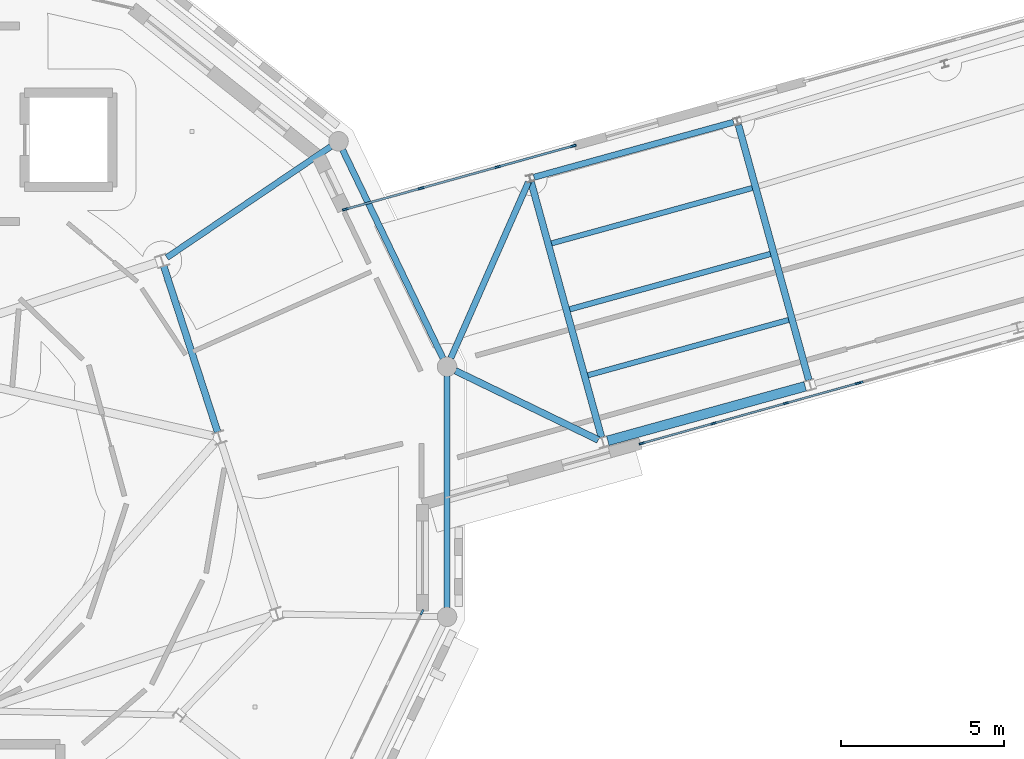
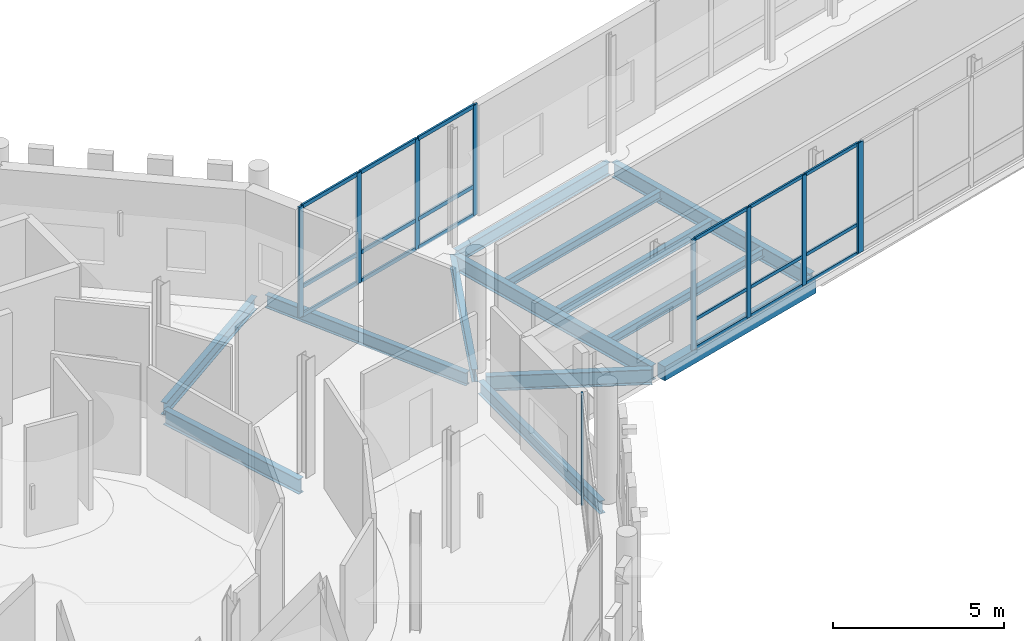
# One storey, part 29 of 125: 28 members, 13 beams, 4 elements without a shape of their own.
"""IFC4 building model written with IfcOpenShell, lengths in metres."""

from ifc_helpers import new_model, si_unit, direction, frame, origin, origin_2d, place, context, subcontext, project, spatial, rectangle, i_section, extrude, material, material_profile, profile_set, type_object, element, aggregate, save


model = new_model("IFC4")

# Units and contexts
model_context = context("Model", 3, precision=1e-05, world=origin(), true_north=direction((0.0, 1.0)))
body_context = subcontext(model_context, "Body", "Model", "MODEL_VIEW")
ifc_project = project(units=[si_unit("LENGTHUNIT", "METRE"), si_unit("AREAUNIT", "SQUARE_METRE"), si_unit("VOLUMEUNIT", "CUBIC_METRE"), si_unit("PLANEANGLEUNIT", "RADIAN"), si_unit("MASSUNIT", "GRAM", prefix="KILO")], contexts=[model_context])

# Site, building, storey
site_placement = place(None, origin())
site = spatial("IfcSite", under=ifc_project, at=site_placement, CompositionType="ELEMENT")
building_placement = place(site_placement, origin())
building = spatial("IfcBuilding", under=site, at=building_placement, Name="Wrenclough Park School", CompositionType="ELEMENT")
storey_placement = place(building_placement, frame((0.0, 0.0, 4.199951171875)))
storey = spatial("IfcBuildingStorey", under=building, at=storey_placement, Name="L01", CompositionType="ELEMENT", Elevation=4.199951171875)

# Curtain wall, members
ifc_material_1 = material(Name="Thermally broken aluminium and low-e glass curtain wall", Category="aluminium")
curtain_wall_type_1 = type_object("IfcCurtainWallType", Name="ENV-CW-11", PredefinedType="USERDEFINED", material=ifc_material_1)
curtain_wall_1_placement = place(storey_placement, origin())
curtain_wall_1 = element("IfcCurtainWall", 1, at=curtain_wall_1_placement, inside=storey, type_object=curtain_wall_type_1, Name="L01 recessed curtain wall assembly 138", ObjectType="CURTAIN WALL", PredefinedType="USERDEFINED")
ifc_material_2 = material(Name="Thermally broken anodised aluminium", Category="aluminium")
ifc_material_profile_1 = material_profile(ifc_material_2, rectangle(XDim=0.06005859375, YDim=0.159912109375, at=origin_2d()), Name="AL MULLION 60x160")
ifc_profile_set_1 = profile_set([ifc_material_profile_1], Name="Thermally broken anodised aluminium")
member_type_1 = type_object("IfcMemberType", Name="ENV-CWM-1", PredefinedType="MULLION", material=ifc_profile_set_1)
member_1_placement = place(storey_placement, frame((65.922119140625, 26.829345703125, 0.0), z_axis=(0.0, 0.0, 1.0), x_axis=(0.268068815671, -0.963399766486, 0.0)))
member_1 = element("IfcMember", 2, at=member_1_placement, type_object=member_type_1, Name="CW-11 mullion 1", PredefinedType="MULLION", context=body_context, shape_type="SweptSolid", body=[
    extrude(rectangle(XDim=0.06005859375, YDim=0.159912109375, at=origin_2d()), origin(), (0.0, 0.0, 1.0), 3.93994140625),
])
member_2_placement = place(storey_placement, frame((63.7216796875, 26.217041015625, 0.0), z_axis=(0.0, 0.0, 1.0), x_axis=(0.268068815671, -0.963399766486, 0.0)))
member_2 = element("IfcMember", 3, at=member_2_placement, type_object=member_type_1, Name="CW-11 mullion 2", PredefinedType="MULLION", context=body_context, shape_type="SweptSolid", body=[
    extrude(rectangle(XDim=0.06005859375, YDim=0.159912109375, at=origin_2d()), origin(), (0.0, 0.0, 1.0), 3.93994140625),
])
member_3_placement = place(storey_placement, frame((61.492431640625, 25.5966796875, 0.0), z_axis=(0.0, 0.0, 1.0), x_axis=(0.268068815671, -0.963399766486, 0.0)))
member_3 = element("IfcMember", 4, at=member_3_placement, type_object=member_type_1, Name="CW-11 mullion 3", PredefinedType="MULLION", context=body_context, shape_type="SweptSolid", body=[
    extrude(rectangle(XDim=0.06005859375, YDim=0.159912109375, at=origin_2d()), origin(), (0.0, 0.0, 1.0), 3.93994140625),
])
member_4_placement = place(storey_placement, frame((59.2919921875, 24.984375, 0.0), z_axis=(0.0, 0.0, 1.0), x_axis=(0.268068815671, -0.963399766486, 0.0)))
member_4 = element("IfcMember", 5, at=member_4_placement, type_object=member_type_1, Name="CW-11 mullion 4", PredefinedType="MULLION", context=body_context, shape_type="SweptSolid", body=[
    extrude(rectangle(XDim=0.06005859375, YDim=0.159912109375, at=origin_2d()), origin(), (0.0, 0.0, 1.0), 3.93994140625),
])

# Curtain wall, member
curtain_wall_type_2 = type_object("IfcCurtainWallType", Name="ENV-CW-12", PredefinedType="USERDEFINED", material=ifc_material_1)
curtain_wall_2_placement = place(storey_placement, origin())
curtain_wall_2 = element("IfcCurtainWall", 6, at=curtain_wall_2_placement, inside=storey, type_object=curtain_wall_type_2, Name="L01 recessed curtain wall assembly 139", ObjectType="CURTAIN WALL", PredefinedType="USERDEFINED")
ifc_material_profile_2 = material_profile(ifc_material_2, rectangle(XDim=0.06494140625, YDim=0.179931640625, at=origin_2d()), Name="AL MULLION 65x180")
ifc_profile_set_2 = profile_set([ifc_material_profile_2], Name="Thermally broken anodised aluminium")
member_type_2 = type_object("IfcMemberType", Name="ENV-CWM-2", PredefinedType="MULLION", material=ifc_profile_set_2)
member_5_placement = place(storey_placement, frame((52.548095703125, 19.800537109375, 0.0), z_axis=(0.0, 0.0, 1.0), x_axis=(0.900963523358, -0.433894837004, 0.0)))
member_5 = element("IfcMember", 7, at=member_5_placement, type_object=member_type_2, Name="CW-12 mullion 1", PredefinedType="MULLION", context=body_context, shape_type="SweptSolid", body=[
    extrude(rectangle(XDim=0.06494140625, YDim=0.179931640625, at=origin_2d()), origin(), (0.0, 0.0, 1.0), 3.93994140625),
])
aggregate(curtain_wall_2, [member_5])

# Curtain wall, members
curtain_wall_type_3 = type_object("IfcCurtainWallType", Name="ENV-CW-15", PredefinedType="USERDEFINED", material=ifc_material_1)
curtain_wall_3_placement = place(storey_placement, origin())
curtain_wall_3 = element("IfcCurtainWall", 8, at=curtain_wall_3_placement, inside=storey, type_object=curtain_wall_type_3, Name="L01 recessed curtain wall assembly 142", ObjectType="CURTAIN WALL", PredefinedType="USERDEFINED")
member_6_placement = place(storey_placement, frame((50.19482421875, 32.16845703125, 0.0), z_axis=(0.0, 0.0, 1.0), x_axis=(-0.268072383958, 0.963398773592, 0.0)))
member_6 = element("IfcMember", 9, at=member_6_placement, type_object=member_type_2, Name="CW-15 mullion 1", PredefinedType="MULLION", context=body_context, shape_type="SweptSolid", body=[
    extrude(rectangle(XDim=0.06494140625, YDim=0.179931640625, at=origin_2d()), origin(), (0.0, 0.0, 1.0), 3.93994140625),
])
member_7_placement = place(storey_placement, frame((52.517333984375, 32.814697265625, 0.0), z_axis=(0.0, 0.0, 1.0), x_axis=(-0.268072383958, 0.963398773592, 0.0)))
member_7 = element("IfcMember", 10, at=member_7_placement, type_object=member_type_2, Name="CW-15 mullion 2", PredefinedType="MULLION", context=body_context, shape_type="SweptSolid", body=[
    extrude(rectangle(XDim=0.06494140625, YDim=0.179931640625, at=origin_2d()), origin(), (0.0, 0.0, 1.0), 3.93994140625),
])
member_8_placement = place(storey_placement, frame((54.87109375, 33.4697265625, 0.0), z_axis=(0.0, 0.0, 1.0), x_axis=(-0.268072383958, 0.963398773592, 0.0)))
member_8 = element("IfcMember", 11, at=member_8_placement, type_object=member_type_2, Name="CW-15 mullion 3", PredefinedType="MULLION", context=body_context, shape_type="SweptSolid", body=[
    extrude(rectangle(XDim=0.06494140625, YDim=0.179931640625, at=origin_2d()), origin(), (0.0, 0.0, 1.0), 3.93994140625),
])
member_9_placement = place(storey_placement, frame((57.193359375, 34.115966796875, 0.0), z_axis=(0.0, 0.0, 1.0), x_axis=(-0.268072383958, 0.963398773592, 0.0)))
member_9 = element("IfcMember", 12, at=member_9_placement, type_object=member_type_2, Name="CW-15 mullion 4", PredefinedType="MULLION", context=body_context, shape_type="SweptSolid", body=[
    extrude(rectangle(XDim=0.06494140625, YDim=0.179931640625, at=origin_2d()), origin(), (0.0, 0.0, 1.0), 3.93994140625),
])

# Curtain wall, member
curtain_wall_type_4 = type_object("IfcCurtainWallType", Name="ENV-CW-10", PredefinedType="USERDEFINED", material=ifc_material_1)
curtain_wall_4_placement = place(storey_placement, origin())
curtain_wall_4 = element("IfcCurtainWall", 13, at=curtain_wall_4_placement, inside=storey, type_object=curtain_wall_type_4, Name="L01 recessed curtain wall assembly 137", ObjectType="CURTAIN WALL", PredefinedType="USERDEFINED")
ifc_material_profile_3 = material_profile(ifc_material_2, rectangle(XDim=0.070068359375, YDim=0.199951171875, at=origin_2d()), Name="AL MULLION 70x200")
ifc_profile_set_3 = profile_set([ifc_material_profile_3], Name="Thermally broken anodised aluminium")
member_type_3 = type_object("IfcMemberType", Name="ENV-CWM-3", PredefinedType="MULLION", material=ifc_profile_set_3)
member_10_placement = place(storey_placement, frame((65.992431640625, 26.848876953125, 0.0), z_axis=(0.0, 0.0, 1.0), x_axis=(0.268059165615, -0.96340245159, 0.0)))
member_10 = element("IfcMember", 14, at=member_10_placement, type_object=member_type_3, Name="CW-10 mullion 4", PredefinedType="MULLION", context=body_context, shape_type="SweptSolid", body=[
    extrude(rectangle(XDim=0.070068359375, YDim=0.199951171875, at=origin_2d()), origin(), (0.0, 0.0, 1.0), 3.93994140625),
])
aggregate(curtain_wall_4, [member_10])

# Member
ifc_material_profile_4 = material_profile(ifc_material_2, rectangle(XDim=0.06005859375, YDim=0.1201171875, at=origin_2d()), Name="AL TRANSOM 60x120")
ifc_profile_set_4 = profile_set([ifc_material_profile_4], Name="Thermally broken anodised aluminium")
member_type_4 = type_object("IfcMemberType", Name="ENV-CWT-1", PredefinedType="USERDEFINED", material=ifc_profile_set_4)
member_11_placement = place(storey_placement, frame((65.893310546875, 26.8212890625, 0.030029296875), z_axis=(-0.963398286159, -0.268074135688, 0.0), x_axis=(0.268074135688, -0.963398286159, 0.0)))
member_11 = element("IfcMember", 15, at=member_11_placement, type_object=member_type_4, Name="CW-11 transom 1.1", ObjectType="TRANSOM", PredefinedType="USERDEFINED", context=body_context, shape_type="SweptSolid", body=[
    extrude(rectangle(XDim=0.06005859375, YDim=0.1201171875, at=origin_2d()), origin(), (0.0, 0.0, 1.0), 2.223876953125),
])

member_12_placement = place(storey_placement, frame((65.893310546875, 26.8212890625, 1.050048828125), z_axis=(-0.963398286159, -0.268074135688, 0.0), x_axis=(0.268074135688, -0.963398286159, 0.0)))
member_12 = element("IfcMember", 16, at=member_12_placement, type_object=member_type_4, Name="CW-11 transom 1.2", ObjectType="TRANSOM", PredefinedType="USERDEFINED", context=body_context, shape_type="SweptSolid", body=[
    extrude(rectangle(XDim=0.06005859375, YDim=0.1201171875, at=origin_2d()), origin(), (0.0, 0.0, 1.0), 2.223876953125),
])

member_13_placement = place(storey_placement, frame((65.893310546875, 26.8212890625, 3.91015625), z_axis=(-0.963398286159, -0.268074135688, 0.0), x_axis=(0.268074135688, -0.963398286159, 0.0)))
member_13 = element("IfcMember", 17, at=member_13_placement, type_object=member_type_4, Name="CW-11 transom 1.3", ObjectType="TRANSOM", PredefinedType="USERDEFINED", context=body_context, shape_type="SweptSolid", body=[
    extrude(rectangle(XDim=0.06005859375, YDim=0.1201171875, at=origin_2d()), origin(), (0.0, 0.0, 1.0), 2.223876953125),
])

member_14_placement = place(storey_placement, frame((63.69287109375, 26.208984375, 0.030029296875), z_axis=(-0.963393657546, -0.268090769331, 0.0), x_axis=(0.268090769331, -0.963393657546, 0.0)))
member_14 = element("IfcMember", 18, at=member_14_placement, type_object=member_type_4, Name="CW-11 transom 2.1", ObjectType="TRANSOM", PredefinedType="USERDEFINED", context=body_context, shape_type="SweptSolid", body=[
    extrude(rectangle(XDim=0.06005859375, YDim=0.1201171875, at=origin_2d()), origin(), (0.0, 0.0, 1.0), 2.25390625),
])

member_15_placement = place(storey_placement, frame((63.69287109375, 26.208984375, 1.050048828125), z_axis=(-0.963393657546, -0.268090769331, 0.0), x_axis=(0.268090769331, -0.963393657546, 0.0)))
member_15 = element("IfcMember", 19, at=member_15_placement, type_object=member_type_4, Name="CW-11 transom 2.2", ObjectType="TRANSOM", PredefinedType="USERDEFINED", context=body_context, shape_type="SweptSolid", body=[
    extrude(rectangle(XDim=0.06005859375, YDim=0.1201171875, at=origin_2d()), origin(), (0.0, 0.0, 1.0), 2.25390625),
])

member_16_placement = place(storey_placement, frame((63.69287109375, 26.208984375, 3.91015625), z_axis=(-0.963393657546, -0.268090769331, 0.0), x_axis=(0.268090769331, -0.963393657546, 0.0)))
member_16 = element("IfcMember", 20, at=member_16_placement, type_object=member_type_4, Name="CW-11 transom 2.3", ObjectType="TRANSOM", PredefinedType="USERDEFINED", context=body_context, shape_type="SweptSolid", body=[
    extrude(rectangle(XDim=0.06005859375, YDim=0.1201171875, at=origin_2d()), origin(), (0.0, 0.0, 1.0), 2.25390625),
])

member_17_placement = place(storey_placement, frame((61.463623046875, 25.588623046875, 0.030029296875), z_axis=(-0.963398286159, -0.268074135688, 0.0), x_axis=(0.268074135688, -0.963398286159, 0.0)))
member_17 = element("IfcMember", 21, at=member_17_placement, type_object=member_type_4, Name="CW-11 transom 3.1", ObjectType="TRANSOM", PredefinedType="USERDEFINED", context=body_context, shape_type="SweptSolid", body=[
    extrude(rectangle(XDim=0.06005859375, YDim=0.1201171875, at=origin_2d()), origin(), (0.0, 0.0, 1.0), 2.223876953125),
])

member_18_placement = place(storey_placement, frame((61.463623046875, 25.588623046875, 1.050048828125), z_axis=(-0.963398286159, -0.268074135688, 0.0), x_axis=(0.268074135688, -0.963398286159, 0.0)))
member_18 = element("IfcMember", 22, at=member_18_placement, type_object=member_type_4, Name="CW-11 transom 3.2", ObjectType="TRANSOM", PredefinedType="USERDEFINED", context=body_context, shape_type="SweptSolid", body=[
    extrude(rectangle(XDim=0.06005859375, YDim=0.1201171875, at=origin_2d()), origin(), (0.0, 0.0, 1.0), 2.223876953125),
])

member_19_placement = place(storey_placement, frame((61.463623046875, 25.588623046875, 3.91015625), z_axis=(-0.963398286159, -0.268074135688, 0.0), x_axis=(0.268074135688, -0.963398286159, 0.0)))
member_19 = element("IfcMember", 23, at=member_19_placement, type_object=member_type_4, Name="CW-11 transom 3.3", ObjectType="TRANSOM", PredefinedType="USERDEFINED", context=body_context, shape_type="SweptSolid", body=[
    extrude(rectangle(XDim=0.06005859375, YDim=0.1201171875, at=origin_2d()), origin(), (0.0, 0.0, 1.0), 2.223876953125),
])

aggregate(curtain_wall_1, [member_1, member_2, member_3, member_4, member_11, member_12, member_13, member_14, member_15, member_16, member_17, member_18, member_19])

ifc_material_profile_5 = material_profile(ifc_material_2, rectangle(XDim=0.06494140625, YDim=0.139892578125, at=origin_2d()), Name="AL TRANSOM 65x140")
ifc_profile_set_5 = profile_set([ifc_material_profile_5], Name="Thermally broken anodised aluminium")
member_type_5 = type_object("IfcMemberType", Name="ENV-CWT-2", PredefinedType="USERDEFINED", material=ifc_profile_set_5)
member_20_placement = place(storey_placement, frame((50.226318359375, 32.17724609375, 0.032470703125), z_axis=(0.963413452821, 0.268019624137, 0.0), x_axis=(-0.268019624137, 0.963413452821, 0.0)))
member_20 = element("IfcMember", 24, at=member_20_placement, type_object=member_type_5, Name="CW-15 transom 1.1", ObjectType="TRANSOM", PredefinedType="USERDEFINED", context=body_context, shape_type="SweptSolid", body=[
    extrude(rectangle(XDim=0.06494140625, YDim=0.139892578125, at=origin_2d()), origin(), (0.0, 0.0, 1.0), 2.345703125),
])

member_21_placement = place(storey_placement, frame((50.226318359375, 32.17724609375, 1.050048828125), z_axis=(0.963413452821, 0.268019624137, 0.0), x_axis=(-0.268019624137, 0.963413452821, 0.0)))
member_21 = element("IfcMember", 25, at=member_21_placement, type_object=member_type_5, Name="CW-15 transom 1.2", ObjectType="TRANSOM", PredefinedType="USERDEFINED", context=body_context, shape_type="SweptSolid", body=[
    extrude(rectangle(XDim=0.06494140625, YDim=0.139892578125, at=origin_2d()), origin(), (0.0, 0.0, 1.0), 2.345703125),
])

member_22_placement = place(storey_placement, frame((50.226318359375, 32.17724609375, 3.907470703125), z_axis=(0.963413452821, 0.268019624137, 0.0), x_axis=(-0.268019624137, 0.963413452821, 0.0)))
member_22 = element("IfcMember", 26, at=member_22_placement, type_object=member_type_5, Name="CW-15 transom 1.3", ObjectType="TRANSOM", PredefinedType="USERDEFINED", context=body_context, shape_type="SweptSolid", body=[
    extrude(rectangle(XDim=0.06494140625, YDim=0.139892578125, at=origin_2d()), origin(), (0.0, 0.0, 1.0), 2.345703125),
])

member_23_placement = place(storey_placement, frame((52.548583984375, 32.823486328125, 0.032470703125), z_axis=(0.963403095807, 0.268056850293, 0.0), x_axis=(-0.268056850293, 0.963403095807, 0.0)))
member_23 = element("IfcMember", 27, at=member_23_placement, type_object=member_type_5, Name="CW-15 transom 2.1", ObjectType="TRANSOM", PredefinedType="USERDEFINED", context=body_context, shape_type="SweptSolid", body=[
    extrude(rectangle(XDim=0.06494140625, YDim=0.139892578125, at=origin_2d()), origin(), (0.0, 0.0, 1.0), 2.3779296875),
])

member_24_placement = place(storey_placement, frame((52.548583984375, 32.823486328125, 1.050048828125), z_axis=(0.963403095807, 0.268056850293, 0.0), x_axis=(-0.268056850293, 0.963403095807, 0.0)))
member_24 = element("IfcMember", 28, at=member_24_placement, type_object=member_type_5, Name="CW-15 transom 2.2", ObjectType="TRANSOM", PredefinedType="USERDEFINED", context=body_context, shape_type="SweptSolid", body=[
    extrude(rectangle(XDim=0.06494140625, YDim=0.139892578125, at=origin_2d()), origin(), (0.0, 0.0, 1.0), 2.3779296875),
])

member_25_placement = place(storey_placement, frame((52.548583984375, 32.823486328125, 3.907470703125), z_axis=(0.963403095807, 0.268056850293, 0.0), x_axis=(-0.268056850293, 0.963403095807, 0.0)))
member_25 = element("IfcMember", 29, at=member_25_placement, type_object=member_type_5, Name="CW-15 transom 2.3", ObjectType="TRANSOM", PredefinedType="USERDEFINED", context=body_context, shape_type="SweptSolid", body=[
    extrude(rectangle(XDim=0.06494140625, YDim=0.139892578125, at=origin_2d()), origin(), (0.0, 0.0, 1.0), 2.3779296875),
])

member_26_placement = place(storey_placement, frame((54.90234375, 33.478271484375, 0.032470703125), z_axis=(0.963386572478, 0.268116228469, 0.0), x_axis=(-0.268116228469, 0.963386572478, 0.0)))
member_26 = element("IfcMember", 30, at=member_26_placement, type_object=member_type_5, Name="CW-15 transom 3.1", ObjectType="TRANSOM", PredefinedType="USERDEFINED", context=body_context, shape_type="SweptSolid", body=[
    extrude(rectangle(XDim=0.06494140625, YDim=0.139892578125, at=origin_2d()), origin(), (0.0, 0.0, 1.0), 2.345703125),
])

member_27_placement = place(storey_placement, frame((54.90234375, 33.478271484375, 1.050048828125), z_axis=(0.963386572478, 0.268116228469, 0.0), x_axis=(-0.268116228469, 0.963386572478, 0.0)))
member_27 = element("IfcMember", 31, at=member_27_placement, type_object=member_type_5, Name="CW-15 transom 3.2", ObjectType="TRANSOM", PredefinedType="USERDEFINED", context=body_context, shape_type="SweptSolid", body=[
    extrude(rectangle(XDim=0.06494140625, YDim=0.139892578125, at=origin_2d()), origin(), (0.0, 0.0, 1.0), 2.345703125),
])

member_28_placement = place(storey_placement, frame((54.90234375, 33.478271484375, 3.907470703125), z_axis=(0.963386572478, 0.268116228469, 0.0), x_axis=(-0.268116228469, 0.963386572478, 0.0)))
member_28 = element("IfcMember", 32, at=member_28_placement, type_object=member_type_5, Name="CW-15 transom 3.3", ObjectType="TRANSOM", PredefinedType="USERDEFINED", context=body_context, shape_type="SweptSolid", body=[
    extrude(rectangle(XDim=0.06494140625, YDim=0.139892578125, at=origin_2d()), origin(), (0.0, 0.0, 1.0), 2.345703125),
])

aggregate(curtain_wall_3, [member_6, member_7, member_8, member_9, member_20, member_21, member_22, member_23, member_24, member_25, member_26, member_27, member_28])

# Beams
ifc_material_3 = material(Name="Concrete C32/40", Category="concrete")
ifc_material_profile_6 = material_profile(ifc_material_3, rectangle(XDim=0.300048828125, YDim=0.5, at=origin_2d()), Name="RC BEAM 300x500")
ifc_profile_set_6 = profile_set([ifc_material_profile_6], Name="Concrete C32/40")
beam_type_1 = type_object("IfcBeamType", Name="STR-BM-RC300", PredefinedType="BEAM", material=ifc_profile_set_6)
beam_1_placement = place(storey_placement, frame((58.251220703125, 25.064208984375, -0.489990234375), z_axis=(0.964001544358, 0.265896638706, 0.0), x_axis=(-0.265896638706, 0.964001544358, 0.0)))
element("IfcBeam", 33, at=beam_1_placement, inside=storey, type_object=beam_type_1, Name="W12 L01 longitudinal edge beam R1", PredefinedType="BEAM", context=body_context, shape_type="SweptSolid", body=[
    extrude(rectangle(XDim=0.300048828125, YDim=0.5, at=origin_2d()), origin(), (0.0, 0.0, 1.0), 6.285888671875),
])
ifc_material_4 = material(Name="Structural steel S355", Category="steel")
ifc_material_profile_7 = material_profile(ifc_material_4, i_section(OverallWidth=0.1650390625, OverallDepth=0.303466796875, WebThickness=0.006103515625, FlangeThickness=0.01025390625, FilletRadius=0.0087890625, at=origin_2d()), Name="UKB 305x165x40")
ifc_profile_set_7 = profile_set([ifc_material_profile_7], Name="Structural steel S355")
beam_type_2 = type_object("IfcBeamType", Name="STR-BM-UKB305", PredefinedType="JOIST", material=ifc_profile_set_7)
for number, where, z_axis, x_axis, name in (
    (34, (56.525390625, 31.12353515625, -0.3916015625), (0.96400342388, 0.265889824451, 0.0), (-0.265889824451, 0.96400342388, 0.0), "W12 L01 secondary floor joist 0001"),
    (35, (57.64208984375, 27.07470703125, -0.3916015625), (0.96400342388, 0.265889824451, 0.0), (-0.265889824451, 0.96400342388, 0.0), "W12 L01 secondary floor joist 0003"),
):
    element("IfcBeam", number, at=place(storey_placement, frame(where, z_axis=z_axis, x_axis=x_axis)), inside=storey, type_object=beam_type_2, Name=name, PredefinedType="JOIST", context=body_context, shape_type="SweptSolid", body=[
        extrude(i_section(OverallWidth=0.1650390625, OverallDepth=0.303466796875, WebThickness=0.006103515625, FlangeThickness=0.01025390625, FilletRadius=0.0087890625, at=origin_2d()), origin(), (0.0, 0.0, 1.0), 6.390625),
    ])
ifc_material_profile_8 = material_profile(ifc_material_4, i_section(OverallWidth=0.17138671875, OverallDepth=0.35498046875, WebThickness=0.00732421875, FlangeThickness=0.011474609375, FilletRadius=0.01025390625, at=origin_2d()), Name="UKB 356x171x51")
ifc_profile_set_8 = profile_set([ifc_material_profile_8], Name="Structural steel S355")
beam_type_3 = type_object("IfcBeamType", Name="STR-BM-UKB356", PredefinedType="JOIST", material=ifc_profile_set_8)
beam_2_placement = place(storey_placement, frame((57.083740234375, 29.09912109375, -0.41748046875), z_axis=(0.96400342388, 0.265889824451, 0.0), x_axis=(-0.265889824451, 0.96400342388, 0.0)))
element("IfcBeam", 36, at=beam_2_placement, inside=storey, type_object=beam_type_3, Name="W12 L01 secondary floor joist 0002", PredefinedType="JOIST", context=body_context, shape_type="SweptSolid", body=[
    extrude(i_section(OverallWidth=0.17138671875, OverallDepth=0.35498046875, WebThickness=0.00732421875, FlangeThickness=0.011474609375, FilletRadius=0.01025390625, at=origin_2d()), origin(), (0.0, 0.0, 1.0), 6.390625),
])
ifc_material_profile_9 = material_profile(ifc_material_4, i_section(OverallWidth=0.18994140625, OverallDepth=0.453369140625, WebThickness=0.008544921875, FlangeThickness=0.0126953125, FilletRadius=0.01025390625, at=origin_2d()), Name="UKB 457x191x67")
ifc_profile_set_9 = profile_set([ifc_material_profile_9], Name="Structural steel S355")
beam_type_4 = type_object("IfcBeamType", Name="STR-BM-UKB457A", PredefinedType="BEAM", material=ifc_profile_set_9)
beam_3_placement = place(storey_placement, frame((55.98388671875, 33.152587890625, -0.466552734375), z_axis=(0.964002804268, 0.265892070893, 0.0), x_axis=(-0.265892070893, 0.964002804268, 0.0)))
element("IfcBeam", 37, at=beam_3_placement, inside=storey, type_object=beam_type_4, Name="W12 L01 longitudinal edge beam L1", PredefinedType="BEAM", context=body_context, shape_type="SweptSolid", body=[
    extrude(i_section(OverallWidth=0.18994140625, OverallDepth=0.453369140625, WebThickness=0.008544921875, FlangeThickness=0.0126953125, FilletRadius=0.01025390625, at=origin_2d()), origin(), (0.0, 0.0, 1.0), 6.355712890625),
])
beam_4_placement = place(storey_placement, frame((44.716796875, 30.68798828125, -0.4765625), z_axis=(0.828110046098, 0.560565564008, 0.0), x_axis=(-0.560565564008, 0.828110046098, 0.0)))
element("IfcBeam", 38, at=beam_4_placement, inside=storey, type_object=beam_type_4, Name="Primary frame continuity tie beam 0071", PredefinedType="BEAM", context=body_context, shape_type="SweptSolid", body=[
    extrude(i_section(OverallWidth=0.18994140625, OverallDepth=0.453369140625, WebThickness=0.008544921875, FlangeThickness=0.0126953125, FilletRadius=0.01025390625, at=origin_2d()), origin(), (0.0, 0.0, 1.0), 6.07568359375),
])
beam_5_placement = place(storey_placement, frame((55.81689453125, 33.00830078125, -0.4765625), z_axis=(-0.403368570035, -0.915037593057, 0.0), x_axis=(0.915037593057, -0.403368570035, 0.0)))
element("IfcBeam", 39, at=beam_5_placement, inside=storey, type_object=beam_type_4, Name="Primary frame continuity tie beam 0115", PredefinedType="BEAM", context=body_context, shape_type="SweptSolid", body=[
    extrude(i_section(OverallWidth=0.18994140625, OverallDepth=0.453369140625, WebThickness=0.008544921875, FlangeThickness=0.0126953125, FilletRadius=0.01025390625, at=origin_2d()), origin(), (0.0, 0.0, 1.0), 5.908447265625),
])
ifc_material_profile_10 = material_profile(ifc_material_4, i_section(OverallWidth=0.19140625, OverallDepth=0.4599609375, WebThickness=0.010009765625, FlangeThickness=0.01611328125, FilletRadius=0.01025390625, at=origin_2d()), Name="UKB 457x191x82")
ifc_profile_set_10 = profile_set([ifc_material_profile_10], Name="Structural steel S355")
beam_type_5 = type_object("IfcBeamType", Name="STR-BM-UKB457B", PredefinedType="SPANDREL", material=ifc_profile_set_10)
for number, where, z_axis, x_axis, name in (
    (40, (53.1923828125, 27.597900390625, -0.47998046875), (-0.433865238323, 0.900977777182, 0.0), (-0.900977777182, -0.433865238323, 0.0), "D2 L01 outer ring spandrel beam 1"),
    (41, (53.3173828125, 19.949462890625, -0.47998046875), (0.0, 1.0, 0.0), (-1.0, 0.0, 0.0), "D2 L01 outer ring spandrel beam 14"),
):
    element("IfcBeam", number, at=place(storey_placement, frame(where, z_axis=z_axis, x_axis=x_axis)), inside=storey, type_object=beam_type_5, Name=name, PredefinedType="SPANDREL", context=body_context, shape_type="SweptSolid", body=[
        extrude(i_section(OverallWidth=0.19140625, OverallDepth=0.4599609375, WebThickness=0.010009765625, FlangeThickness=0.01611328125, FilletRadius=0.01025390625, at=origin_2d()), origin(), (0.0, 0.0, 1.0), 7.100830078125),
    ])
ifc_material_profile_11 = material_profile(ifc_material_4, i_section(OverallWidth=0.209228515625, OverallDepth=0.533203125, WebThickness=0.010009765625, FlangeThickness=0.015625, FilletRadius=0.0126953125, at=origin_2d()), Name="UKB 533x210x92")
ifc_profile_set_11 = profile_set([ifc_material_profile_11], Name="Structural steel S355")
beam_type_6 = type_object("IfcBeamType", Name="STR-BM-UKB533A", PredefinedType="BEAM", material=ifc_profile_set_11)
beam_6_placement = place(storey_placement, frame((46.27490234375, 25.336669921875, -0.516357421875), z_axis=(-0.309020970938, 0.951055224222, 0.0), x_axis=(-0.951055224222, -0.309020970938, 0.0)))
element("IfcBeam", 42, at=beam_6_placement, inside=storey, type_object=beam_type_6, Name="D2 L01 hall frame girder 6.7", PredefinedType="BEAM", context=body_context, shape_type="SweptSolid", body=[
    extrude(i_section(OverallWidth=0.209228515625, OverallDepth=0.533203125, WebThickness=0.010009765625, FlangeThickness=0.015625, FilletRadius=0.0126953125, at=origin_2d()), origin(), (0.0, 0.0, 1.0), 5.34228515625),
])
for number, where, z_axis, x_axis, name in (
    (43, (55.898681640625, 33.002197265625, -0.506591796875), (0.265914547527, -0.963996604462, 0.0), (0.963996604462, 0.265914547527, 0.0), "W12 L01 transverse floor beam 1"),
    (44, (62.260986328125, 34.757080078125, -0.506591796875), (0.265914547527, -0.963996604462, 0.0), (0.963996604462, 0.265914547527, 0.0), "W12 L01 transverse floor beam 2"),
):
    element("IfcBeam", number, at=place(storey_placement, frame(where, z_axis=z_axis, x_axis=x_axis)), inside=storey, type_object=beam_type_6, Name=name, PredefinedType="BEAM", context=body_context, shape_type="SweptSolid", body=[
        extrude(i_section(OverallWidth=0.209228515625, OverallDepth=0.533203125, WebThickness=0.010009765625, FlangeThickness=0.015625, FilletRadius=0.0126953125, at=origin_2d()), origin(), (0.0, 0.0, 1.0), 8.120849609375),
    ])
beam_7_placement = place(storey_placement, frame((57.95849609375, 25.0908203125, -0.516357421875), z_axis=(-0.900012061384, 0.435864989834, 0.0), x_axis=(-0.435864989834, -0.900012061384, 0.0)))
element("IfcBeam", 45, at=beam_7_placement, inside=storey, type_object=beam_type_6, Name="W12 L01 drum junction tie beam 3", PredefinedType="BEAM", context=body_context, shape_type="SweptSolid", body=[
    extrude(i_section(OverallWidth=0.209228515625, OverallDepth=0.533203125, WebThickness=0.010009765625, FlangeThickness=0.015625, FilletRadius=0.0126953125, at=origin_2d()), origin(), (0.0, 0.0, 1.0), 4.86865234375),
])

save(model, "model.ifc")
